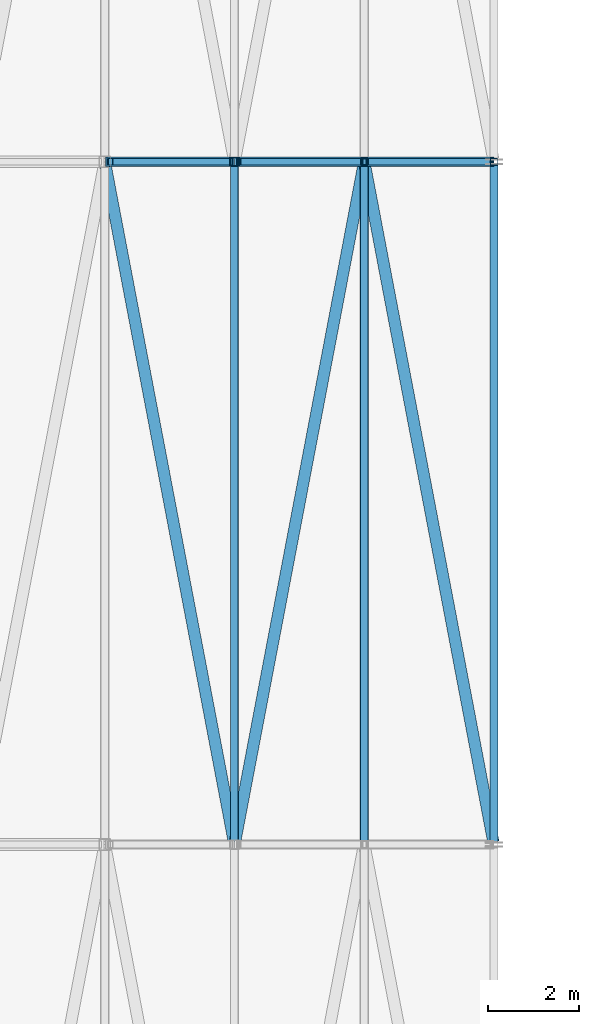
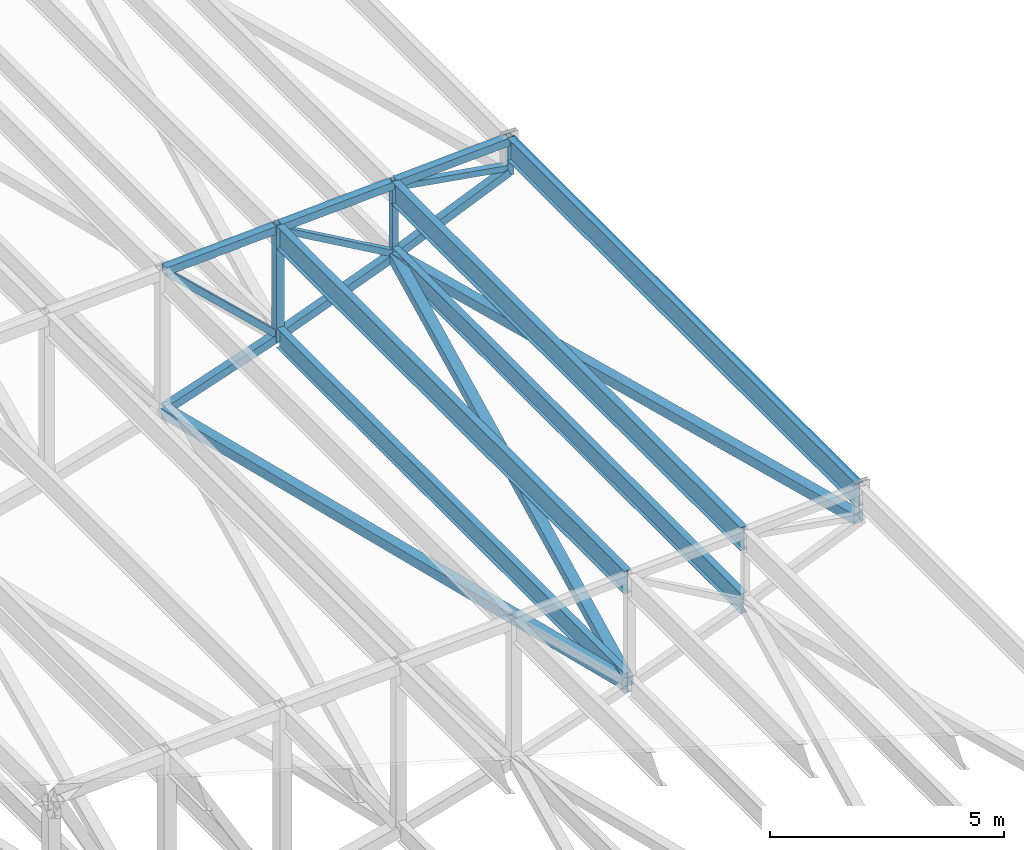
# One storey, part 65 of 278: 11 members, 9 beams.
"""IFC4 building model written with IfcOpenShell, lengths in metres."""

from ifc_helpers import new_model, si_unit, direction, frame, origin, origin_2d, place, context, subcontext, project, spatial, hollow_rectangle, i_section, extrude, material, material_profile, profile_set, type_object, element, save


model = new_model("IFC4")

# Units and contexts
model_context = context("Model", 3, precision=1e-05, world=origin(), true_north=direction((0.0, 1.0)))
body_context = subcontext(model_context, "Body", "Model", "MODEL_VIEW")
ifc_project = project(units=[si_unit("LENGTHUNIT", "METRE"), si_unit("AREAUNIT", "SQUARE_METRE"), si_unit("VOLUMEUNIT", "CUBIC_METRE"), si_unit("PLANEANGLEUNIT", "RADIAN"), si_unit("MASSUNIT", "GRAM", prefix="KILO")], contexts=[model_context])

# Site, building, storey
site_placement = place(None, origin())
site = spatial("IfcSite", under=ifc_project, at=site_placement, CompositionType="ELEMENT")
building_placement = place(site_placement, origin())
building = spatial("IfcBuilding", under=site, at=building_placement, Name="Ogive Plaza Stadium", CompositionType="ELEMENT")
storey_placement = place(building_placement, frame((0.0, 0.0, 29.0)))
storey = spatial("IfcBuildingStorey", under=building, at=storey_placement, Name="Roof", CompositionType="ELEMENT", Elevation=29.0)

# Members
ifc_material_1 = material(Name="Steel ASTM A500 Grade C", Category="steel")
ifc_material_profile_1 = material_profile(ifc_material_1, hollow_rectangle(XDim=0.25390625, YDim=0.25390625, WallThickness=0.0087890625, at=origin_2d()), Name="HSS10X10X3/8")
ifc_profile_set_1 = profile_set([ifc_material_profile_1], Name="Steel ASTM A500 Grade C")
member_type_1 = type_object("IfcMemberType", Name="Roof plan brace HSS10X10X3/8", PredefinedType="BRACE", material=ifc_profile_set_1)
member_1_placement = place(storey_placement, frame((-45.513427734375, 22.5703125, 6.520751953125), z_axis=(-0.1860644689, 0.979300227871, -0.079693645318), x_axis=(-0.982424925297, -0.186658153196, 0.0)))
element("IfcMember", 1, at=member_1_placement, inside=storey, type_object=member_type_1, Name="ROOF BRACE B26 1", PredefinedType="BRACE", context=body_context, shape_type="SweptSolid", body=[
    extrude(hollow_rectangle(XDim=0.25390625, YDim=0.25390625, WallThickness=0.0087890625, at=origin_2d()), origin(), (0.0, 0.0, 1.0), 15.173583984375),
])
member_2_placement = place(storey_placement, frame((-48.36328125, 37.4296875, 5.30078125), z_axis=(-0.18619699352, -0.979917118172, -0.071366106221), x_axis=(0.982422109195, -0.186672974385, 0.0)))
element("IfcMember", 2, at=member_2_placement, inside=storey, type_object=member_type_1, Name="ROOF BRACE B26 2", PredefinedType="BRACE", context=body_context, shape_type="SweptSolid", body=[
    extrude(hollow_rectangle(XDim=0.25390625, YDim=0.25390625, WallThickness=0.0087890625, at=origin_2d()), origin(), (0.0, 0.0, 1.0), 15.1376953125),
])
member_3_placement = place(storey_placement, frame((-51.21826171875, 22.595947265625, 4.20751953125), z_axis=(-0.186305134019, 0.980575459807, -0.061336487198), x_axis=(-0.982425223956, -0.186656581279, 0.0)))
element("IfcMember", 3, at=member_3_placement, inside=storey, type_object=member_type_1, Name="ROOF BRACE B26 3", PredefinedType="BRACE", context=body_context, shape_type="SweptSolid", body=[
    extrude(hollow_rectangle(XDim=0.25390625, YDim=0.25390625, WallThickness=0.0087890625, at=origin_2d()), origin(), (0.0, 0.0, 1.0), 15.1015625),
])
ifc_material_2 = material(Name="Steel ASTM A992 Grade 50", Category="steel")
ifc_material_profile_2 = material_profile(ifc_material_2, i_section(OverallWidth=0.1650390625, OverallDepth=0.524658203125, WebThickness=0.0087890625, FlangeThickness=0.011474609375, at=origin_2d()), Name="W21X44")
ifc_profile_set_2 = profile_set([ifc_material_profile_2], Name="Steel ASTM A992 Grade 50")
member_type_2 = type_object("IfcMemberType", Name="Roof plan strut W21X44", PredefinedType="STRUT", material=ifc_profile_set_2)
member_4_placement = place(storey_placement, frame((-48.35009765625, 22.546142578125, 5.305908203125), z_axis=(0.0, 1.0, 0.0), x_axis=(-1.0, 0.0, 0.0)))
element("IfcMember", 4, at=member_4_placement, inside=storey, type_object=member_type_2, Name="ROOF STRUT B26 1", PredefinedType="STRUT", context=body_context, shape_type="SweptSolid", body=[
    extrude(i_section(OverallWidth=0.1650390625, OverallDepth=0.524658203125, WebThickness=0.0087890625, FlangeThickness=0.011474609375, at=origin_2d()), origin(), (0.0, 0.0, 1.0), 14.90771484375),
])
member_5_placement = place(storey_placement, frame((-51.199951171875, 22.571533203125, 4.213623046875), z_axis=(0.0, 1.0, 0.0), x_axis=(-1.0, 0.0, 0.0)))
element("IfcMember", 5, at=member_5_placement, inside=storey, type_object=member_type_2, Name="ROOF STRUT B26 2", PredefinedType="STRUT", context=body_context, shape_type="SweptSolid", body=[
    extrude(i_section(OverallWidth=0.1650390625, OverallDepth=0.524658203125, WebThickness=0.0087890625, FlangeThickness=0.011474609375, at=origin_2d()), origin(), (0.0, 0.0, 1.0), 14.85693359375),
])
ifc_material_3 = material(Name="Steel ASTM A992 Grade 50", Category="steel")
ifc_material_profile_3 = material_profile(ifc_material_3, i_section(OverallWidth=0.177978515625, OverallDepth=0.5986328125, WebThickness=0.010009765625, FlangeThickness=0.012939453125, at=origin_2d()), Name="W24X55")
ifc_profile_set_3 = profile_set([ifc_material_profile_3], Name="Steel ASTM A992 Grade 50")
member_type_3 = type_object("IfcMemberType", Name="Roof purlin W24X55", PredefinedType="PURLIN", material=ifc_profile_set_3)
member_6_placement = place(storey_placement, frame((-48.35009765625, 22.546142578125, 6.983154296875), z_axis=(0.0, 1.0, 0.0), x_axis=(-1.0, 0.0, 0.0)))
element("IfcMember", 6, at=member_6_placement, inside=storey, type_object=member_type_3, Name="ROOF PURLIN B26 1", PredefinedType="PURLIN", context=body_context, shape_type="SweptSolid", body=[
    extrude(i_section(OverallWidth=0.177978515625, OverallDepth=0.5986328125, WebThickness=0.010009765625, FlangeThickness=0.012939453125, at=origin_2d()), origin(), (0.0, 0.0, 1.0), 14.90771484375),
])
member_7_placement = place(storey_placement, frame((-51.199951171875, 22.571533203125, 6.840576171875), z_axis=(0.0, 1.0, 0.0), x_axis=(-1.0, 0.0, 0.0)))
element("IfcMember", 7, at=member_7_placement, inside=storey, type_object=member_type_3, Name="ROOF PURLIN B26 2", PredefinedType="PURLIN", context=body_context, shape_type="SweptSolid", body=[
    extrude(i_section(OverallWidth=0.177978515625, OverallDepth=0.5986328125, WebThickness=0.010009765625, FlangeThickness=0.012939453125, at=origin_2d()), origin(), (0.0, 0.0, 1.0), 14.85693359375),
])
ifc_material_4 = material(Name="Steel ASTM A992 Grade 50", Category="steel")
ifc_material_profile_4 = material_profile(ifc_material_4, i_section(OverallWidth=0.177978515625, OverallDepth=0.5986328125, WebThickness=0.010009765625, FlangeThickness=0.012939453125, at=origin_2d()), Name="W24X55")
ifc_profile_set_4 = profile_set([ifc_material_profile_4], Name="Steel ASTM A992 Grade 50")
member_type_4 = type_object("IfcMemberType", Name="Roof tip ring beam W24X55", PredefinedType="MEMBER", material=ifc_profile_set_4)
member_8_placement = place(storey_placement, frame((-45.5, 22.546142578125, 7.125732421875), z_axis=(0.0, 1.0, 0.0), x_axis=(-1.0, 0.0, 0.0)))
element("IfcMember", 8, at=member_8_placement, inside=storey, type_object=member_type_4, Name="RING BEAM B26", PredefinedType="MEMBER", context=body_context, shape_type="SweptSolid", body=[
    extrude(i_section(OverallWidth=0.177978515625, OverallDepth=0.5986328125, WebThickness=0.010009765625, FlangeThickness=0.012939453125, at=origin_2d()), origin(), (0.0, 0.0, 1.0), 14.90771484375),
])

# Beams
ifc_material_5 = material(Name="Steel ASTM A500 Grade C", Category="steel")
ifc_material_profile_5 = material_profile(ifc_material_5, hollow_rectangle(XDim=0.203125, YDim=0.203125, WallThickness=0.01171875, at=origin_2d()), Name="HSS8X8X1/2")
ifc_profile_set_5 = profile_set([ifc_material_profile_5], Name="Steel ASTM A500 Grade C")
beam_type_1 = type_object("IfcBeamType", Name="Roof truss bottom chord HSS8X8X1/2", PredefinedType="BEAM", material=ifc_profile_set_5)
beam_1_placement = place(storey_placement, frame((-45.5400390625, 37.5, 6.518310546875), z_axis=(-0.919215459426, 0.0, -0.393754922702), x_axis=(0.0, -1.0, 0.0)))
element("IfcBeam", 9, at=beam_1_placement, inside=storey, type_object=beam_type_1, Name="ROOF TRUSS T27 BOTTOM CHORD 1", PredefinedType="BEAM", context=body_context, shape_type="SweptSolid", body=[
    extrude(hollow_rectangle(XDim=0.203125, YDim=0.203125, WallThickness=0.01171875, at=origin_2d()), origin(), (0.0, 0.0, 1.0), 3.04736328125),
])
beam_2_placement = place(storey_placement, frame((-48.386474609375, 37.5, 5.299072265625), z_axis=(-0.933780874892, 0.0, -0.357845326484), x_axis=(0.0, -1.0, 0.0)))
element("IfcBeam", 10, at=beam_2_placement, inside=storey, type_object=beam_type_1, Name="ROOF TRUSS T27 BOTTOM CHORD 2", PredefinedType="BEAM", context=body_context, shape_type="SweptSolid", body=[
    extrude(hollow_rectangle(XDim=0.203125, YDim=0.203125, WallThickness=0.01171875, at=origin_2d()), origin(), (0.0, 0.0, 1.0), 2.97314453125),
])
beam_3_placement = place(storey_placement, frame((-51.24072265625, 37.5, 4.20556640625), z_axis=(-0.947299736415, 0.0, -0.320348574817), x_axis=(0.0, -1.0, 0.0)))
element("IfcBeam", 11, at=beam_3_placement, inside=storey, type_object=beam_type_1, Name="ROOF TRUSS T27 BOTTOM CHORD 3", PredefinedType="BEAM", context=body_context, shape_type="SweptSolid", body=[
    extrude(hollow_rectangle(XDim=0.203125, YDim=0.203125, WallThickness=0.01171875, at=origin_2d()), origin(), (0.0, 0.0, 1.0), 2.912841796875),
])

# Members
ifc_material_6 = material(Name="Steel ASTM A500 Grade C", Category="steel")
ifc_material_profile_6 = material_profile(ifc_material_6, hollow_rectangle(XDim=0.15234375, YDim=0.15234375, WallThickness=0.005859375, at=origin_2d()), Name="HSS6X6X1/4")
ifc_profile_set_6 = profile_set([ifc_material_profile_6], Name="Steel ASTM A500 Grade C")
member_type_5 = type_object("IfcMemberType", Name="Roof truss diagonal HSS6X6X1/4", PredefinedType="BRACE", material=ifc_profile_set_6)
member_9_placement = place(storey_placement, frame((-45.576171875, 37.5, 6.628173828125), z_axis=(-0.986299671123, 0.0, 0.164963507307), x_axis=(0.0, -1.0, 0.0)))
element("IfcMember", 12, at=member_9_placement, inside=storey, type_object=member_type_5, Name="ROOF TRUSS T27 DIAGONAL 1", PredefinedType="BRACE", context=body_context, shape_type="SweptSolid", body=[
    extrude(hollow_rectangle(XDim=0.15234375, YDim=0.15234375, WallThickness=0.005859375, at=origin_2d()), origin(), (0.0, 0.0, 1.0), 2.73486328125),
])
member_10_placement = place(storey_placement, frame((-48.42626953125, 37.5, 5.407470703125), z_axis=(-0.8679111184, 0.0, 0.496719529069), x_axis=(0.0, -1.0, 0.0)))
element("IfcMember", 13, at=member_10_placement, inside=storey, type_object=member_type_5, Name="ROOF TRUSS T27 DIAGONAL 2", PredefinedType="BRACE", context=body_context, shape_type="SweptSolid", body=[
    extrude(hollow_rectangle(XDim=0.15234375, YDim=0.15234375, WallThickness=0.005859375, at=origin_2d()), origin(), (0.0, 0.0, 1.0), 3.078857421875),
])
ifc_material_7 = material(Name="Steel ASTM A500 Grade C", Category="steel")
ifc_material_profile_7 = material_profile(ifc_material_7, hollow_rectangle(XDim=0.15234375, YDim=0.15234375, WallThickness=0.0087890625, at=origin_2d()), Name="HSS6X6X3/8")
ifc_profile_set_7 = profile_set([ifc_material_profile_7], Name="Steel ASTM A500 Grade C")
member_type_6 = type_object("IfcMemberType", Name="Roof truss diagonal HSS6X6X3/8", PredefinedType="BRACE", material=ifc_profile_set_7)
member_11_placement = place(storey_placement, frame((-51.301513671875, 37.5, 4.315185546875), z_axis=(-0.726588919749, 0.0, 0.687072442832), x_axis=(0.0, -1.0, 0.0)))
element("IfcMember", 14, at=member_11_placement, inside=storey, type_object=member_type_6, Name="ROOF TRUSS T27 DIAGONAL 3", PredefinedType="BRACE", context=body_context, shape_type="SweptSolid", body=[
    extrude(hollow_rectangle(XDim=0.15234375, YDim=0.15234375, WallThickness=0.0087890625, at=origin_2d()), origin(), (0.0, 0.0, 1.0), 3.608154296875),
])

# Beams
ifc_material_8 = material(Name="Steel ASTM A500 Grade C", Category="steel")
ifc_material_profile_8 = material_profile(ifc_material_8, hollow_rectangle(XDim=0.15234375, YDim=0.15234375, WallThickness=0.0087890625, at=origin_2d()), Name="HSS6X6X3/8")
ifc_profile_set_8 = profile_set([ifc_material_profile_8], Name="Steel ASTM A500 Grade C")
beam_type_2 = type_object("IfcBeamType", Name="Roof truss post HSS6X6X3/8", PredefinedType="BEAM", material=ifc_profile_set_8)
beam_4_placement = place(storey_placement, frame((-45.5, 37.5, 6.425048828125), z_axis=(0.0, 0.0, 1.0), x_axis=(0.0, -1.0, 0.0)))
element("IfcBeam", 15, at=beam_4_placement, inside=storey, type_object=beam_type_2, Name="ROOF TRUSS T27 POST 1", PredefinedType="BEAM", context=body_context, shape_type="SweptSolid", body=[
    extrude(hollow_rectangle(XDim=0.15234375, YDim=0.15234375, WallThickness=0.0087890625, at=origin_2d()), origin(), (0.0, 0.0, 1.0), 1.0),
])
beam_5_placement = place(storey_placement, frame((-48.35009765625, 37.5, 5.204345703125), z_axis=(0.0, 0.0, 1.0), x_axis=(0.0, -1.0, 0.0)))
element("IfcBeam", 16, at=beam_5_placement, inside=storey, type_object=beam_type_2, Name="ROOF TRUSS T27 POST 2", PredefinedType="BEAM", context=body_context, shape_type="SweptSolid", body=[
    extrude(hollow_rectangle(XDim=0.15234375, YDim=0.15234375, WallThickness=0.0087890625, at=origin_2d()), origin(), (0.0, 0.0, 1.0), 2.078125),
])
ifc_material_9 = material(Name="Steel ASTM A500 Grade C", Category="steel")
ifc_material_profile_9 = material_profile(ifc_material_9, hollow_rectangle(XDim=0.203125, YDim=0.203125, WallThickness=0.0087890625, at=origin_2d()), Name="HSS8X8X3/8")
ifc_profile_set_9 = profile_set([ifc_material_profile_9], Name="Steel ASTM A500 Grade C")
beam_type_3 = type_object("IfcBeamType", Name="Roof truss post HSS8X8X3/8", PredefinedType="BEAM", material=ifc_profile_set_9)
beam_6_placement = place(storey_placement, frame((-51.199951171875, 37.5, 4.112060546875), z_axis=(0.0, 0.0, 1.0), x_axis=(0.0, -1.0, 0.0)))
element("IfcBeam", 17, at=beam_6_placement, inside=storey, type_object=beam_type_3, Name="ROOF TRUSS T27 POST 3", PredefinedType="BEAM", context=body_context, shape_type="SweptSolid", body=[
    extrude(hollow_rectangle(XDim=0.203125, YDim=0.203125, WallThickness=0.0087890625, at=origin_2d()), origin(), (0.0, 0.0, 1.0), 3.02783203125),
])
ifc_material_10 = material(Name="Steel ASTM A500 Grade C", Category="steel")
ifc_material_profile_10 = material_profile(ifc_material_10, hollow_rectangle(XDim=0.203125, YDim=0.203125, WallThickness=0.0087890625, at=origin_2d()), Name="HSS8X8X3/8")
ifc_profile_set_10 = profile_set([ifc_material_profile_10], Name="Steel ASTM A500 Grade C")
beam_type_4 = type_object("IfcBeamType", Name="Roof truss top chord HSS8X8X3/8", PredefinedType="BEAM", material=ifc_profile_set_10)
beam_7_placement = place(storey_placement, frame((-45.541259765625, 37.5, 7.3212890625), z_axis=(-0.998751459876, 0.0, -0.049955193873), x_axis=(0.0, -1.0, 0.0)))
element("IfcBeam", 18, at=beam_7_placement, inside=storey, type_object=beam_type_4, Name="ROOF TRUSS T27 TOP CHORD 1", PredefinedType="BEAM", context=body_context, shape_type="SweptSolid", body=[
    extrude(hollow_rectangle(XDim=0.203125, YDim=0.203125, WallThickness=0.0087890625, at=origin_2d()), origin(), (0.0, 0.0, 1.0), 2.77099609375),
])
beam_8_placement = place(storey_placement, frame((-48.39111328125, 37.5, 7.1787109375), z_axis=(-0.998752338878, 0.0, -0.049937616944), x_axis=(0.0, -1.0, 0.0)))
element("IfcBeam", 19, at=beam_8_placement, inside=storey, type_object=beam_type_4, Name="ROOF TRUSS T27 TOP CHORD 2", PredefinedType="BEAM", context=body_context, shape_type="SweptSolid", body=[
    extrude(hollow_rectangle(XDim=0.203125, YDim=0.203125, WallThickness=0.0087890625, at=origin_2d()), origin(), (0.0, 0.0, 1.0), 2.76220703125),
])
beam_9_placement = place(storey_placement, frame((-51.25, 37.5, 7.035888671875), z_axis=(-0.998748798523, 0.0, -0.05000837379), x_axis=(0.0, -1.0, 0.0)))
element("IfcBeam", 20, at=beam_9_placement, inside=storey, type_object=beam_type_4, Name="ROOF TRUSS T27 TOP CHORD 3", PredefinedType="BEAM", context=body_context, shape_type="SweptSolid", body=[
    extrude(hollow_rectangle(XDim=0.203125, YDim=0.203125, WallThickness=0.0087890625, at=origin_2d()), origin(), (0.0, 0.0, 1.0), 2.75341796875),
])

save(model, "model.ifc")
